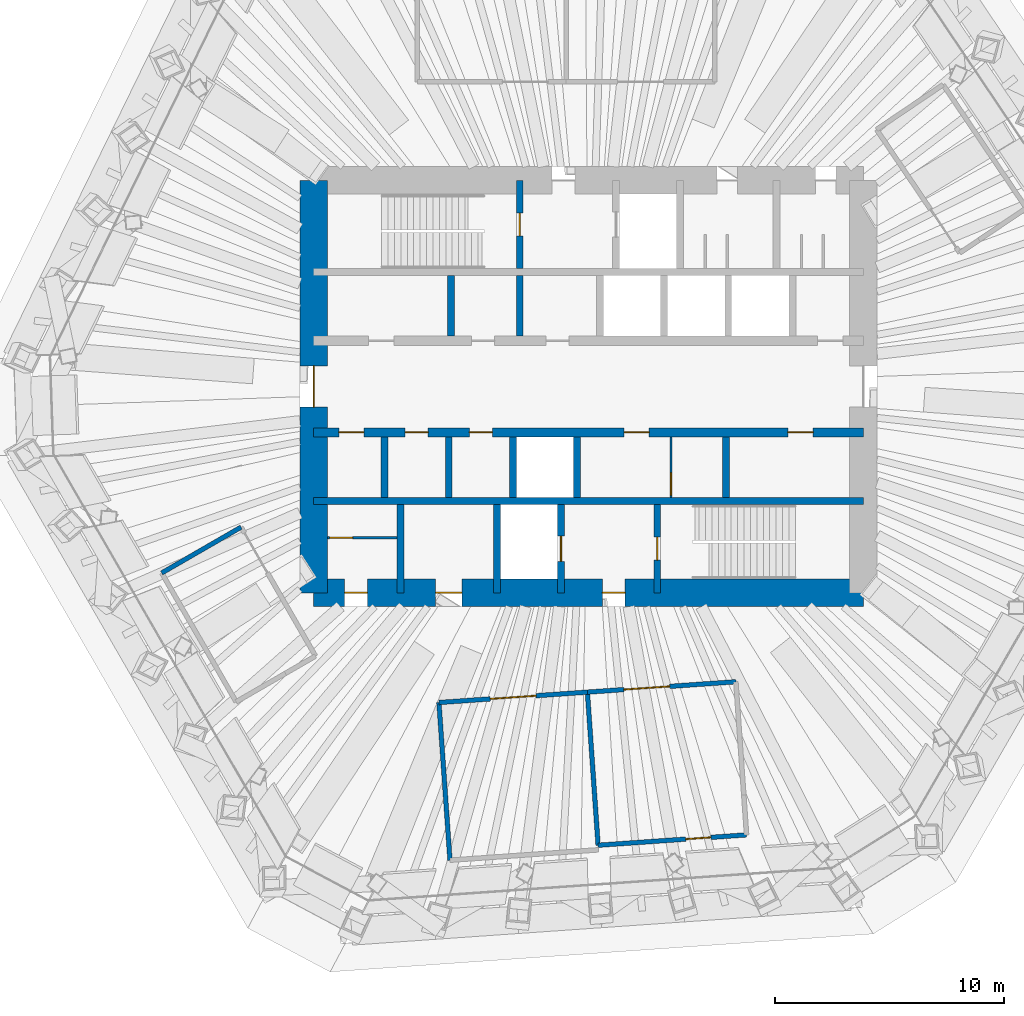
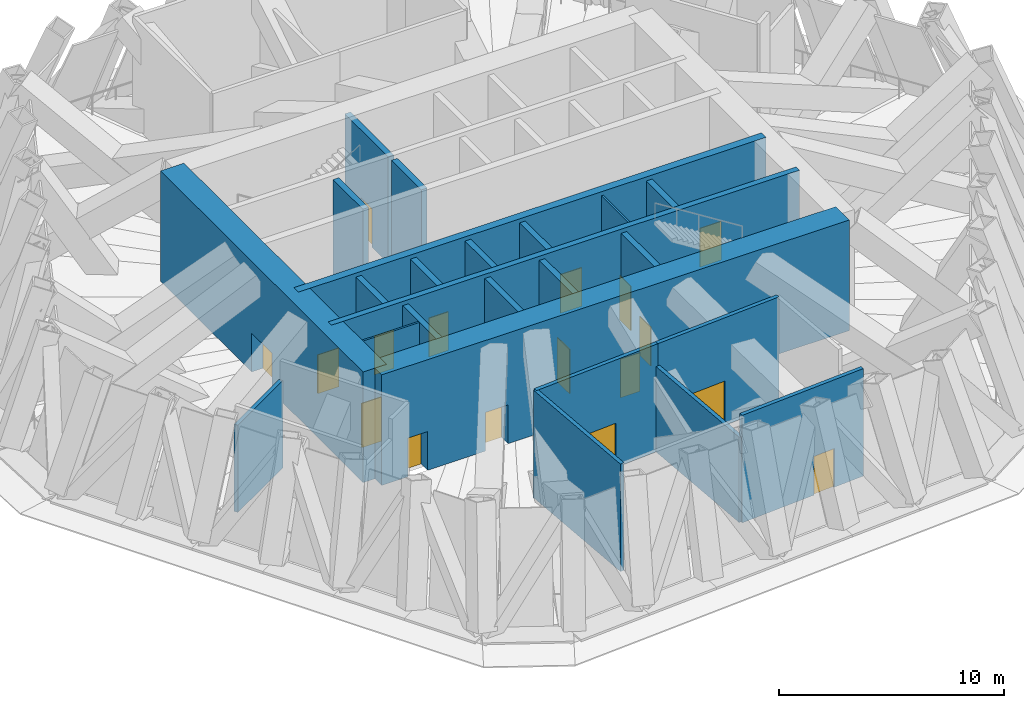
# One storey, part 7 of 12: 24 walls, 17 doors, 17 openings.
"""IFC4 building model written with IfcOpenShell, lengths in metres."""

from ifc_helpers import new_model, si_unit, direction, frame, frame_2d, origin, place, context, subcontext, project, spatial, rectangle, extrude, material, layer, layer_set, type_object, element, fill, save


model = new_model("IFC4")

# Units and contexts
model_context = context("Model", 3, precision=1e-05, world=origin(), true_north=direction((0.0, 1.0)))
body_context = subcontext(model_context, "Body", "Model", "MODEL_VIEW")
ifc_project = project(units=[si_unit("LENGTHUNIT", "METRE"), si_unit("AREAUNIT", "SQUARE_METRE"), si_unit("VOLUMEUNIT", "CUBIC_METRE"), si_unit("PLANEANGLEUNIT", "RADIAN"), si_unit("MASSUNIT", "GRAM", prefix="KILO")], contexts=[model_context])

# Site, building, storey
site_placement = place(None, origin())
site = spatial("IfcSite", under=ifc_project, at=site_placement, CompositionType="ELEMENT")
building_placement = place(site_placement, origin())
building = spatial("IfcBuilding", under=site, at=building_placement, Name="Qingtian Harvest Tower", CompositionType="ELEMENT")
storey_placement = place(building_placement, frame((0.0, 0.0, 256.0)))
storey = spatial("IfcBuildingStorey", under=building, at=storey_placement, Name="L56", CompositionType="ELEMENT", Elevation=256.0)

# Wall
ifc_material_1 = material(Name="Concrete fc' 70 MPa", Category="concrete")
ifc_layer_1 = layer(ifc_material_1, 0.300048828125)
ifc_layer_set_1 = layer_set([ifc_layer_1], Name="Core inner wall RC5 300")
wall_type_1 = type_object("IfcWallType", Name="Core inner wall RC5 300", PredefinedType="SHEAR", material=ifc_layer_set_1)
wall_1_placement = place(storey_placement, frame((-12.0, -5.0, 0.0), z_axis=(0.0, 0.0, 1.0), x_axis=(1.0, 0.0, 0.0)))
element("IfcWall", 1, at=wall_1_placement, inside=storey, type_object=wall_type_1, Name="Core wall IS5 L56", PredefinedType="SHEAR", context=body_context, shape_type="SweptSolid", body=[
    extrude(rectangle(XDim=24.0, YDim=0.300048828125, at=frame_2d((12.0, 0.0))), origin(), (0.0, 0.0, 1.0), 6.0),
])

# Wall, openings, doors
ifc_material_2 = material(Name="Concrete fc' 70 MPa", Category="concrete")
ifc_layer_2 = layer(ifc_material_2, 0.39990234375)
ifc_layer_set_2 = layer_set([ifc_layer_2], Name="Core inner web RC6 400")
wall_type_2 = type_object("IfcWallType", Name="Core inner web RC6 400", PredefinedType="SHEAR", material=ifc_layer_set_2)
wall_2_placement = place(storey_placement, frame((-12.0, -2.0, 0.0), z_axis=(0.0, 0.0, 1.0), x_axis=(1.0, 0.0, 0.0)))
wall_2 = element("IfcWall", 2, at=wall_2_placement, inside=storey, type_object=wall_type_2, Name="Core wall IS2 L56", PredefinedType="SHEAR", context=body_context, shape_type="SweptSolid", body=[
    extrude(rectangle(XDim=24.0, YDim=0.39990234375, at=frame_2d((12.0, 0.0))), origin(), (0.0, 0.0, 1.0), 6.0),
])
opening_1_placement = place(wall_2_placement, frame((1.10009765625, 0.0, 0.0)))
opening_1 = element("IfcOpeningElement", 3, at=opening_1_placement, cuts=wall_2, Name="Opening FD4", PredefinedType="OPENING", context=body_context, shape_type="SweptSolid", body=[
    extrude(rectangle(XDim=1.10009765625, YDim=2.10009765625, at=frame_2d((0.550048828125, 1.050048828125))), frame((0.0, 0.2099609375, 0.0), z_axis=(0.0, -1.0, 0.0), x_axis=(1.0, 0.0, 0.0)), (0.0, 0.0, 1.0), 0.419921875),
])
opening_2_placement = place(wall_2_placement, frame((13.550048828125, 0.0, 0.0)))
opening_2 = element("IfcOpeningElement", 4, at=opening_2_placement, cuts=wall_2, Name="Opening FD4", PredefinedType="OPENING", context=body_context, shape_type="SweptSolid", body=[
    extrude(rectangle(XDim=1.10009765625, YDim=2.10009765625, at=frame_2d((0.550048828125, 1.050048828125))), frame((0.0, 0.2099609375, 0.0), z_axis=(0.0, -1.0, 0.0), x_axis=(1.0, 0.0, 0.0)), (0.0, 0.0, 1.0), 0.419921875),
])
opening_3_placement = place(wall_2_placement, frame((20.699951171875, 0.0, 0.0)))
opening_3 = element("IfcOpeningElement", 5, at=opening_3_placement, cuts=wall_2, Name="Opening FD4", PredefinedType="OPENING", context=body_context, shape_type="SweptSolid", body=[
    extrude(rectangle(XDim=1.10009765625, YDim=2.10009765625, at=frame_2d((0.550048828125, 1.050048828125))), frame((0.0, 0.2099609375, 0.0), z_axis=(0.0, -1.0, 0.0), x_axis=(1.0, 0.0, 0.0)), (0.0, 0.0, 1.0), 0.419921875),
])
opening_4_placement = place(wall_2_placement, frame((4.0, 0.0, 0.0)))
opening_4 = element("IfcOpeningElement", 6, at=opening_4_placement, cuts=wall_2, Name="Opening FD1", PredefinedType="OPENING", context=body_context, shape_type="SweptSolid", body=[
    extrude(rectangle(XDim=1.0, YDim=2.10009765625, at=frame_2d((0.5, 1.050048828125))), frame((0.0, 0.2099609375, 0.0), z_axis=(0.0, -1.0, 0.0), x_axis=(1.0, 0.0, 0.0)), (0.0, 0.0, 1.0), 0.419921875),
])
opening_5_placement = place(wall_2_placement, frame((6.800048828125, 0.0, 0.0)))
opening_5 = element("IfcOpeningElement", 7, at=opening_5_placement, cuts=wall_2, Name="Opening FD1", PredefinedType="OPENING", context=body_context, shape_type="SweptSolid", body=[
    extrude(rectangle(XDim=1.0, YDim=2.10009765625, at=frame_2d((0.5, 1.050048828125))), frame((0.0, 0.2099609375, 0.0), z_axis=(0.0, -1.0, 0.0), x_axis=(1.0, 0.0, 0.0)), (0.0, 0.0, 1.0), 0.419921875),
])
ifc_material_3 = material(Name="Steel-faced door leaf", Category="steel")
door_type_1 = type_object("IfcDoorType", Name="Fire door FD1 single 1 HR", OperationType="SINGLE_SWING_LEFT", PredefinedType="DOOR", material=ifc_material_3)
door_1_placement = place(opening_4_placement, origin())
door_1 = element("IfcDoor", 8, at=door_1_placement, inside=storey, type_object=door_type_1, Name="Spares store door L56", OperationType="SINGLE_SWING_LEFT", OverallHeight=2.10009765625, OverallWidth=1.0, PredefinedType="DOOR", context=body_context, shape_type="SweptSolid", body=[
    extrude(rectangle(XDim=1.0, YDim=2.10009765625, at=frame_2d((0.5, 1.050048828125))), frame((0.0, 0.02490234375, 0.0), z_axis=(0.0, -1.0, 0.0), x_axis=(1.0, 0.0, 0.0)), (0.0, 0.0, 1.0), 0.050048828125),
])
fill(opening_4, door_1)
door_2_placement = place(opening_5_placement, origin())
door_2 = element("IfcDoor", 9, at=door_2_placement, inside=storey, type_object=door_type_1, Name="Filter store door L56", OperationType="SINGLE_SWING_LEFT", OverallHeight=2.10009765625, OverallWidth=1.0, PredefinedType="DOOR", context=body_context, shape_type="SweptSolid", body=[
    extrude(rectangle(XDim=1.0, YDim=2.10009765625, at=frame_2d((0.5, 1.050048828125))), frame((0.0, 0.02490234375, 0.0), z_axis=(0.0, -1.0, 0.0), x_axis=(1.0, 0.0, 0.0)), (0.0, 0.0, 1.0), 0.050048828125),
])
fill(opening_5, door_2)
ifc_material_4 = material(Name="Steel-faced door leaf", Category="steel")
door_type_2 = type_object("IfcDoorType", Name="Fire door FD4 single 2 HR", OperationType="SINGLE_SWING_LEFT", PredefinedType="DOOR", material=ifc_material_4)
door_3_placement = place(opening_1_placement, origin())
door_3 = element("IfcDoor", 10, at=door_3_placement, inside=storey, type_object=door_type_2, Name="RB door L56", OperationType="SINGLE_SWING_RIGHT", OverallHeight=2.10009765625, OverallWidth=1.10009765625, PredefinedType="DOOR", context=body_context, shape_type="SweptSolid", body=[
    extrude(rectangle(XDim=1.10009765625, YDim=2.10009765625, at=frame_2d((0.550048828125, 1.050048828125))), frame((0.0, 0.02490234375, 0.0), z_axis=(0.0, -1.0, 0.0), x_axis=(1.0, 0.0, 0.0)), (0.0, 0.0, 1.0), 0.050048828125),
])
fill(opening_1, door_3)
door_4_placement = place(opening_2_placement, origin())
door_4 = element("IfcDoor", 11, at=door_4_placement, inside=storey, type_object=door_type_2, Name="ELEC door L56", OperationType="SINGLE_SWING_LEFT", OverallHeight=2.10009765625, OverallWidth=1.10009765625, PredefinedType="DOOR", context=body_context, shape_type="SweptSolid", body=[
    extrude(rectangle(XDim=1.10009765625, YDim=2.10009765625, at=frame_2d((0.550048828125, 1.050048828125))), frame((0.0, 0.02490234375, 0.0), z_axis=(0.0, -1.0, 0.0), x_axis=(1.0, 0.0, 0.0)), (0.0, 0.0, 1.0), 0.050048828125),
])
fill(opening_2, door_4)
door_5_placement = place(opening_3_placement, origin())
door_5 = element("IfcDoor", 12, at=door_5_placement, inside=storey, type_object=door_type_2, Name="DUCT door L56", OperationType="SINGLE_SWING_RIGHT", OverallHeight=2.10009765625, OverallWidth=1.10009765625, PredefinedType="DOOR", context=body_context, shape_type="SweptSolid", body=[
    extrude(rectangle(XDim=1.10009765625, YDim=2.10009765625, at=frame_2d((0.550048828125, 1.050048828125))), frame((0.0, 0.02490234375, 0.0), z_axis=(0.0, -1.0, 0.0), x_axis=(1.0, 0.0, 0.0)), (0.0, 0.0, 1.0), 0.050048828125),
])
fill(opening_3, door_5)

# Wall, opening, door
ifc_material_5 = material(Name="Precast concrete shaft panel", Category="concrete")
ifc_layer_3 = layer(ifc_material_5, 0.300048828125)
ifc_layer_set_3 = layer_set([ifc_layer_3], Name="Core shaft partition SW1 300")
wall_type_3 = type_object("IfcWallType", Name="Core shaft partition SW1 300", PredefinedType="PARTITIONING", material=ifc_layer_set_3)
wall_3_placement = place(storey_placement, frame((-3.0, 5.14990234375, 0.0), z_axis=(0.0, 0.0, 1.0), x_axis=(0.0, 1.0, 0.0)))
wall_3 = element("IfcWall", 13, at=wall_3_placement, inside=storey, type_object=wall_type_3, Name="Core shaft partition XN1 L56", PredefinedType="PARTITIONING", context=body_context, shape_type="SweptSolid", body=[
    extrude(rectangle(XDim=3.85009765625, YDim=0.300048828125, at=frame_2d((1.925048828125, 0.0))), origin(), (0.0, 0.0, 1.0), 5.780029296875),
])
opening_6_placement = place(wall_3_placement, frame((1.425048828125, 0.0, 0.0)))
opening_6 = element("IfcOpeningElement", 14, at=opening_6_placement, cuts=wall_3, Name="Opening FD1", PredefinedType="OPENING", context=body_context, shape_type="SweptSolid", body=[
    extrude(rectangle(XDim=1.0, YDim=2.10009765625, at=frame_2d((0.5, 1.050048828125))), frame((0.0, 0.159912109375, 0.0), z_axis=(0.0, -1.0, 0.0), x_axis=(1.0, 0.0, 0.0)), (0.0, 0.0, 1.0), 0.320068359375),
])
door_6_placement = place(opening_6_placement, origin())
door_6 = element("IfcDoor", 15, at=door_6_placement, inside=storey, type_object=door_type_1, Name="S1 door L56", OperationType="SINGLE_SWING_RIGHT", OverallHeight=2.10009765625, OverallWidth=1.0, PredefinedType="DOOR", context=body_context, shape_type="SweptSolid", body=[
    extrude(rectangle(XDim=1.0, YDim=2.10009765625, at=frame_2d((0.5, 1.050048828125))), frame((0.0, 0.02490234375, 0.0), z_axis=(0.0, -1.0, 0.0), x_axis=(1.0, 0.0, 0.0)), (0.0, 0.0, 1.0), 0.050048828125),
])
fill(opening_6, door_6)

# Walls
for number, where, z_axis, x_axis, name in (
    (16, (-6.0, 2.199951171875, 0.0), (0.0, 0.0, 1.0), (0.0, 1.0, 0.0), "Core shaft partition XA1 L56"),
    (17, (-3.0, 2.199951171875, 0.0), (0.0, 0.0, 1.0), (0.0, 1.0, 0.0), "Core shaft partition XA2 L56"),
    (18, (-8.89990234375, -4.85009765625, 0.0), (0.0, 0.0, 1.0), (0.0, 1.0, 0.0), "Core shaft partition XB1 L56"),
    (19, (-6.10009765625, -4.85009765625, 0.0), (0.0, 0.0, 1.0), (0.0, 1.0, 0.0), "Core shaft partition XB2 L56"),
    (20, (-3.300048828125, -4.85009765625, 0.0), (0.0, 0.0, 1.0), (0.0, 1.0, 0.0), "Core shaft partition XB3 L56"),
    (21, (-0.5, -4.85009765625, 0.0), (0.0, 0.0, 1.0), (0.0, 1.0, 0.0), "Core shaft partition XB4 L56"),
    (22, (6.0, -4.85009765625, 0.0), (0.0, 0.0, 1.0), (0.0, 1.0, 0.0), "Core shaft partition XB5 L56"),
):
    element("IfcWall", number, at=place(storey_placement, frame(where, z_axis=z_axis, x_axis=x_axis)), inside=storey, type_object=wall_type_3, Name=name, PredefinedType="PARTITIONING", context=body_context, shape_type="SweptSolid", body=[
        extrude(rectangle(XDim=2.650146484375, YDim=0.300048828125, at=frame_2d((1.3251953125, 0.0))), origin(), (0.0, 0.0, 1.0), 5.780029296875),
    ])
for number, where, z_axis, x_axis, name in (
    (23, (-8.199951171875, -9.0, 0.0), (0.0, 0.0, 1.0), (0.0, 1.0, 0.0), "Core shaft partition XS1 L56"),
    (24, (-4.0, -9.0, 0.0), (0.0, 0.0, 1.0), (0.0, 1.0, 0.0), "Core shaft partition XS2 L56"),
):
    element("IfcWall", number, at=place(storey_placement, frame(where, z_axis=z_axis, x_axis=x_axis)), inside=storey, type_object=wall_type_3, Name=name, PredefinedType="PARTITIONING", context=body_context, shape_type="SweptSolid", body=[
        extrude(rectangle(XDim=3.85009765625, YDim=0.300048828125, at=frame_2d((1.925048828125, 0.0))), origin(), (0.0, 0.0, 1.0), 5.780029296875),
    ])

# Wall, opening, door
wall_4_placement = place(storey_placement, frame((-1.199951171875, -9.0, 0.0), z_axis=(0.0, 0.0, 1.0), x_axis=(0.0, 1.0, 0.0)))
wall_4 = element("IfcWall", 25, at=wall_4_placement, inside=storey, type_object=wall_type_3, Name="Core shaft partition XS3 L56", PredefinedType="PARTITIONING", context=body_context, shape_type="SweptSolid", body=[
    extrude(rectangle(XDim=3.85009765625, YDim=0.300048828125, at=frame_2d((1.925048828125, 0.0))), origin(), (0.0, 0.0, 1.0), 5.780029296875),
])
opening_7_placement = place(wall_4_placement, frame((1.375, 0.0, 0.0)))
opening_7 = element("IfcOpeningElement", 26, at=opening_7_placement, cuts=wall_4, Name="Opening LD1", PredefinedType="OPENING", context=body_context, shape_type="SweptSolid", body=[
    extrude(rectangle(XDim=1.10009765625, YDim=2.39990234375, at=frame_2d((0.550048828125, 1.199951171875))), frame((0.0, 0.159912109375, 0.0), z_axis=(0.0, -1.0, 0.0), x_axis=(1.0, 0.0, 0.0)), (0.0, 0.0, 1.0), 0.320068359375),
])
ifc_material_6 = material(Name="Stainless steel lift landing door", Category="steel")
door_type_3 = type_object("IfcDoorType", Name="Lift landing door LD1 1 HR", OperationType="DOUBLE_DOOR_SLIDING", PredefinedType="DOOR", material=ifc_material_6)
door_7_placement = place(opening_7_placement, origin())
door_7 = element("IfcDoor", 27, at=door_7_placement, inside=storey, type_object=door_type_3, Name="FL2 landing door L56", OperationType="DOUBLE_DOOR_SLIDING", OverallHeight=2.39990234375, OverallWidth=1.10009765625, PredefinedType="DOOR", context=body_context, shape_type="SweptSolid", body=[
    extrude(rectangle(XDim=1.10009765625, YDim=2.39990234375, at=frame_2d((0.550048828125, 1.199951171875))), frame((0.0, 0.02490234375, 0.0), z_axis=(0.0, -1.0, 0.0), x_axis=(1.0, 0.0, 0.0)), (0.0, 0.0, 1.0), 0.050048828125),
])
fill(opening_7, door_7)

wall_5_placement = place(storey_placement, frame((3.0, -9.0, 0.0), z_axis=(0.0, 0.0, 1.0), x_axis=(0.0, 1.0, 0.0)))
wall_5 = element("IfcWall", 28, at=wall_5_placement, inside=storey, type_object=wall_type_3, Name="Core shaft partition XS4 L56", PredefinedType="PARTITIONING", context=body_context, shape_type="SweptSolid", body=[
    extrude(rectangle(XDim=3.85009765625, YDim=0.300048828125, at=frame_2d((1.925048828125, 0.0))), origin(), (0.0, 0.0, 1.0), 5.780029296875),
])
opening_8_placement = place(wall_5_placement, frame((1.425048828125, 0.0, 0.0)))
opening_8 = element("IfcOpeningElement", 29, at=opening_8_placement, cuts=wall_5, Name="Opening FD1", PredefinedType="OPENING", context=body_context, shape_type="SweptSolid", body=[
    extrude(rectangle(XDim=1.0, YDim=2.10009765625, at=frame_2d((0.5, 1.050048828125))), frame((0.0, 0.159912109375, 0.0), z_axis=(0.0, -1.0, 0.0), x_axis=(1.0, 0.0, 0.0)), (0.0, 0.0, 1.0), 0.320068359375),
])
door_8_placement = place(opening_8_placement, origin())
door_8 = element("IfcDoor", 30, at=door_8_placement, inside=storey, type_object=door_type_1, Name="S2 door L56", OperationType="SINGLE_SWING_LEFT", OverallHeight=2.10009765625, OverallWidth=1.0, PredefinedType="DOOR", context=body_context, shape_type="SweptSolid", body=[
    extrude(rectangle(XDim=1.0, YDim=2.10009765625, at=frame_2d((0.5, 1.050048828125))), frame((0.0, 0.02490234375, 0.0), z_axis=(0.0, -1.0, 0.0), x_axis=(1.0, 0.0, 0.0)), (0.0, 0.0, 1.0), 0.050048828125),
])
fill(opening_8, door_8)

# Wall, openings, doors
ifc_material_7 = material(Name="Concrete fc' 70 MPa", Category="concrete")
ifc_layer_4 = layer(ifc_material_7, 1.199951171875)
ifc_layer_set_4 = layer_set([ifc_layer_4], Name="Core wall RC2 1200")
wall_type_4 = type_object("IfcWallType", Name="Core wall RC2 1200", PredefinedType="SHEAR", material=ifc_layer_set_4)
wall_6_placement = place(storey_placement, frame((-12.0, -9.0, 0.0), z_axis=(0.0, 0.0, 1.0), x_axis=(1.0, 0.0, 0.0)))
wall_6 = element("IfcWall", 31, at=wall_6_placement, inside=storey, type_object=wall_type_4, Name="Core wall CS L56", PredefinedType="SHEAR", context=body_context, shape_type="SweptSolid", body=[
    extrude(rectangle(XDim=24.0, YDim=1.199951171875, at=frame_2d((12.0, 0.0))), origin(), (0.0, 0.0, 1.0), 6.0),
])
opening_9_placement = place(wall_6_placement, frame((1.35009765625, 0.0, 0.0)))
opening_9 = element("IfcOpeningElement", 32, at=opening_9_placement, cuts=wall_6, Name="Opening FD1", PredefinedType="OPENING", context=body_context, shape_type="SweptSolid", body=[
    extrude(rectangle(XDim=1.0, YDim=2.10009765625, at=frame_2d((0.5, 1.050048828125))), frame((0.0, 0.60986328125, 0.0), z_axis=(0.0, -1.0, 0.0), x_axis=(1.0, 0.0, 0.0)), (0.0, 0.0, 1.0), 1.219970703125),
])
opening_10_placement = place(wall_6_placement, frame((5.324951171875, 0.0, 0.0)))
opening_10 = element("IfcOpeningElement", 33, at=opening_10_placement, cuts=wall_6, Name="Opening AD1", PredefinedType="OPENING", context=body_context, shape_type="SweptSolid", body=[
    extrude(rectangle(XDim=1.14990234375, YDim=2.10009765625, at=frame_2d((0.574951171875, 1.050048828125))), frame((0.0, 0.60986328125, 0.0), z_axis=(0.0, -1.0, 0.0), x_axis=(1.0, 0.0, 0.0)), (0.0, 0.0, 1.0), 1.219970703125),
])
opening_11_placement = place(wall_6_placement, frame((12.60009765625, 0.0, 0.0)))
opening_11 = element("IfcOpeningElement", 34, at=opening_11_placement, cuts=wall_6, Name="Opening FD1", PredefinedType="OPENING", context=body_context, shape_type="SweptSolid", body=[
    extrude(rectangle(XDim=1.0, YDim=2.10009765625, at=frame_2d((0.5, 1.050048828125))), frame((0.0, 0.60986328125, 0.0), z_axis=(0.0, -1.0, 0.0), x_axis=(1.0, 0.0, 0.0)), (0.0, 0.0, 1.0), 1.219970703125),
])
ifc_material_8 = material(Name="Laminated timber door leaf", Category="wood")
door_type_4 = type_object("IfcDoorType", Name="Accessible WC door AD1 single", OperationType="SINGLE_SWING_LEFT", PredefinedType="DOOR", material=ifc_material_8)
door_9_placement = place(opening_10_placement, origin())
door_9 = element("IfcDoor", 35, at=door_9_placement, inside=storey, type_object=door_type_4, Name="AWC door L56", OperationType="SINGLE_SWING_LEFT", OverallHeight=2.10009765625, OverallWidth=1.14990234375, PredefinedType="DOOR", context=body_context, shape_type="SweptSolid", body=[
    extrude(rectangle(XDim=1.14990234375, YDim=2.10009765625, at=frame_2d((0.574951171875, 1.050048828125))), frame((0.0, 0.02490234375, 0.0), z_axis=(0.0, -1.0, 0.0), x_axis=(1.0, 0.0, 0.0)), (0.0, 0.0, 1.0), 0.050048828125),
])
fill(opening_10, door_9)
door_10_placement = place(opening_9_placement, origin())
door_10 = element("IfcDoor", 36, at=door_10_placement, inside=storey, type_object=door_type_1, Name="CLN door L56", OperationType="SINGLE_SWING_RIGHT", OverallHeight=2.10009765625, OverallWidth=1.0, PredefinedType="DOOR", context=body_context, shape_type="SweptSolid", body=[
    extrude(rectangle(XDim=1.0, YDim=2.10009765625, at=frame_2d((0.5, 1.050048828125))), frame((0.0, 0.02490234375, 0.0), z_axis=(0.0, -1.0, 0.0), x_axis=(1.0, 0.0, 0.0)), (0.0, 0.0, 1.0), 0.050048828125),
])
fill(opening_9, door_10)
door_11_placement = place(opening_11_placement, origin())
door_11 = element("IfcDoor", 37, at=door_11_placement, inside=storey, type_object=door_type_1, Name="V2 door L56", OperationType="SINGLE_SWING_LEFT", OverallHeight=2.10009765625, OverallWidth=1.0, PredefinedType="DOOR", context=body_context, shape_type="SweptSolid", body=[
    extrude(rectangle(XDim=1.0, YDim=2.10009765625, at=frame_2d((0.5, 1.050048828125))), frame((0.0, 0.02490234375, 0.0), z_axis=(0.0, -1.0, 0.0), x_axis=(1.0, 0.0, 0.0)), (0.0, 0.0, 1.0), 0.050048828125),
])
fill(opening_11, door_11)

# Wall, opening, door
wall_7_placement = place(storey_placement, frame((-12.0, -9.0, 0.0), z_axis=(0.0, 0.0, 1.0), x_axis=(0.0, 1.0, 0.0)))
wall_7 = element("IfcWall", 38, at=wall_7_placement, inside=storey, type_object=wall_type_4, Name="Core wall CW L56", PredefinedType="SHEAR", context=body_context, shape_type="SweptSolid", body=[
    extrude(rectangle(XDim=18.0, YDim=1.199951171875, at=frame_2d((9.0, 0.0))), origin(), (0.0, 0.0, 1.0), 6.0),
])
opening_12_placement = place(wall_7_placement, frame((8.10009765625, 0.0, 0.0)))
opening_12 = element("IfcOpeningElement", 39, at=opening_12_placement, cuts=wall_7, Name="Opening FD2", PredefinedType="OPENING", context=body_context, shape_type="SweptSolid", body=[
    extrude(rectangle(XDim=1.800048828125, YDim=2.10009765625, at=frame_2d((0.89990234375, 1.050048828125))), frame((0.0, 0.60986328125, 0.0), z_axis=(0.0, -1.0, 0.0), x_axis=(1.0, 0.0, 0.0)), (0.0, 0.0, 1.0), 1.219970703125),
])
ifc_material_9 = material(Name="Steel-faced door leaf", Category="steel")
door_type_5 = type_object("IfcDoorType", Name="Fire door FD2 double 1 HR", OperationType="DOUBLE_DOOR_DOUBLE_SWING", PredefinedType="DOOR", material=ifc_material_9)
door_12_placement = place(opening_12_placement, origin())
door_12 = element("IfcDoor", 40, at=door_12_placement, inside=storey, type_object=door_type_5, Name="LOBBY-W door L56", OperationType="DOUBLE_DOOR_DOUBLE_SWING", OverallHeight=2.10009765625, OverallWidth=1.800048828125, PredefinedType="DOOR", context=body_context, shape_type="SweptSolid", body=[
    extrude(rectangle(XDim=1.800048828125, YDim=2.10009765625, at=frame_2d((0.89990234375, 1.050048828125))), frame((0.0, 0.02490234375, 0.0), z_axis=(0.0, -1.0, 0.0), x_axis=(1.0, 0.0, 0.0)), (0.0, 0.0, 1.0), 0.050048828125),
])
fill(opening_12, door_12)

# Wall
ifc_material_10 = material(Name="Blockwork fire wall", Category="masonry")
ifc_layer_5 = layer(ifc_material_10, 0.199951171875)
ifc_layer_set_5 = layer_set([ifc_layer_5], Name="Fire partition FW1 200")
wall_type_5 = type_object("IfcWallType", Name="Fire partition FW1 200", PredefinedType="PARTITIONING", material=ifc_layer_set_5)
wall_8_placement = place(storey_placement, frame((0.41943359375, -20.01953125, 0.0), z_axis=(0.0, 0.0, 1.0), x_axis=(-0.069781262282, 0.997562316567, 0.0)))
element("IfcWall", 41, at=wall_8_placement, inside=storey, type_object=wall_type_5, Name="Pump plant room wall L56", PredefinedType="PARTITIONING", context=body_context, shape_type="SweptSolid", body=[
    extrude(rectangle(XDim=6.699951171875, YDim=0.199951171875, at=frame_2d((3.35009765625, 0.0))), origin(), (0.0, 0.0, 1.0), 4.6298828125),
])

# Wall, opening, door
wall_9_placement = place(storey_placement, frame((6.43212890625, -12.8828125, 0.0), z_axis=(0.0, 0.0, 1.0), x_axis=(-0.997564226446, -0.069753954123, 0.0)))
wall_9 = element("IfcWall", 42, at=wall_9_placement, inside=storey, type_object=wall_type_5, Name="Pump plant room wall L56", PredefinedType="PARTITIONING", context=body_context, shape_type="SweptSolid", body=[
    extrude(rectangle(XDim=6.49609375, YDim=0.199951171875, at=frame_2d((3.248046875, 0.0))), origin(), (0.0, 0.0, 1.0), 5.830078125),
])
opening_13_placement = place(wall_9_placement, frame((2.897705078125, 0.0, 0.0)))
opening_13 = element("IfcOpeningElement", 43, at=opening_13_placement, cuts=wall_9, Name="Opening FD3", PredefinedType="OPENING", context=body_context, shape_type="SweptSolid", body=[
    extrude(rectangle(XDim=2.0, YDim=2.39990234375, at=frame_2d((1.0, 1.199951171875))), frame((0.0, 0.10986328125, 0.0), z_axis=(0.0, -1.0, 0.0), x_axis=(1.0, 0.0, 0.0)), (0.0, 0.0, 1.0), 0.219970703125),
])
ifc_material_11 = material(Name="Steel-faced door leaf", Category="steel")
door_type_6 = type_object("IfcDoorType", Name="Fire door FD3 double 2 HR", OperationType="DOUBLE_DOOR_DOUBLE_SWING", PredefinedType="DOOR", material=ifc_material_11)
door_13_placement = place(opening_13_placement, origin())
door_13 = element("IfcDoor", 44, at=door_13_placement, inside=storey, type_object=door_type_6, Name="Pump plant room door L56", OperationType="DOUBLE_DOOR_DOUBLE_SWING", OverallHeight=2.39990234375, OverallWidth=2.0, PredefinedType="DOOR", context=body_context, shape_type="SweptSolid", body=[
    extrude(rectangle(XDim=2.0, YDim=2.39990234375, at=frame_2d((1.0, 1.199951171875))), frame((0.0, 0.02490234375, 0.0), z_axis=(0.0, -1.0, 0.0), x_axis=(1.0, 0.0, 0.0)), (0.0, 0.0, 1.0), 0.050048828125),
])
fill(opening_13, door_13)

# Wall
wall_10_placement = place(storey_placement, frame((-6.046875, -20.672119140625, 0.0), z_axis=(0.0, 0.0, 1.0), x_axis=(-0.069775959272, 0.997562687508, 0.0)))
element("IfcWall", 45, at=wall_10_placement, inside=storey, type_object=wall_type_5, Name="Fan plant room wall L56", PredefinedType="PARTITIONING", context=body_context, shape_type="SweptSolid", body=[
    extrude(rectangle(XDim=6.89990234375, YDim=0.199951171875, at=frame_2d((3.449951171875, 0.0))), origin(), (0.0, 0.0, 1.0), 5.830078125),
])

# Wall, opening, door
wall_11_placement = place(storey_placement, frame((-0.048095703125, -13.3359375, 0.0), z_axis=(0.0, 0.0, 1.0), x_axis=(-0.997564226446, -0.069753954123, 0.0)))
wall_11 = element("IfcWall", 46, at=wall_11_placement, inside=storey, type_object=wall_type_5, Name="Fan plant room wall L56", PredefinedType="PARTITIONING", context=body_context, shape_type="SweptSolid", body=[
    extrude(rectangle(XDim=6.49609375, YDim=0.199951171875, at=frame_2d((3.248046875, 0.0))), origin(), (0.0, 0.0, 1.0), 5.830078125),
])
opening_14_placement = place(wall_11_placement, frame((2.248046875, 0.0, 0.0)))
opening_14 = element("IfcOpeningElement", 47, at=opening_14_placement, cuts=wall_11, Name="Opening FD3", PredefinedType="OPENING", context=body_context, shape_type="SweptSolid", body=[
    extrude(rectangle(XDim=2.0, YDim=2.39990234375, at=frame_2d((1.0, 1.199951171875))), frame((0.0, 0.10986328125, 0.0), z_axis=(0.0, -1.0, 0.0), x_axis=(1.0, 0.0, 0.0)), (0.0, 0.0, 1.0), 0.219970703125),
])
door_14_placement = place(opening_14_placement, origin())
door_14 = element("IfcDoor", 48, at=door_14_placement, inside=storey, type_object=door_type_6, Name="Fan plant room door L56", OperationType="DOUBLE_DOOR_DOUBLE_SWING", OverallHeight=2.39990234375, OverallWidth=2.0, PredefinedType="DOOR", context=body_context, shape_type="SweptSolid", body=[
    extrude(rectangle(XDim=2.0, YDim=2.39990234375, at=frame_2d((1.0, 1.199951171875))), frame((0.0, 0.02490234375, 0.0), z_axis=(0.0, -1.0, 0.0), x_axis=(1.0, 0.0, 0.0)), (0.0, 0.0, 1.0), 0.050048828125),
])
fill(opening_14, door_14)

# Wall
wall_12_placement = place(storey_placement, frame((-18.628662109375, -8.13427734375, 0.0), z_axis=(0.0, 0.0, 1.0), x_axis=(0.866026010844, 0.49999894854, 0.0)))
element("IfcWall", 49, at=wall_12_placement, inside=storey, type_object=wall_type_5, Name="Switchgear plant room wall L56", PredefinedType="PARTITIONING", context=body_context, shape_type="SweptSolid", body=[
    extrude(rectangle(XDim=4.0, YDim=0.199951171875, at=frame_2d((2.0, 0.0))), origin(), (0.0, 0.0, 1.0), 4.72998046875),
])

# Wall, opening, door
wall_13_placement = place(storey_placement, frame((6.899658203125, -19.56640625, 0.0), z_axis=(0.0, 0.0, 1.0), x_axis=(-0.997564226446, -0.069753954123, 0.0)))
wall_13 = element("IfcWall", 50, at=wall_13_placement, inside=storey, type_object=wall_type_5, Name="Pump plant room roof access wall L56", PredefinedType="PARTITIONING", context=body_context, shape_type="SweptSolid", body=[
    extrude(rectangle(XDim=6.49609375, YDim=0.199951171875, at=frame_2d((3.248046875, 0.0))), origin(), (0.0, 0.0, 1.0), 5.830078125),
])
opening_15_placement = place(wall_13_placement, frame((1.561279296875, 0.0, 0.0)))
opening_15 = element("IfcOpeningElement", 51, at=opening_15_placement, cuts=wall_13, Name="Opening FD4", PredefinedType="OPENING", context=body_context, shape_type="SweptSolid", body=[
    extrude(rectangle(XDim=1.10009765625, YDim=2.10009765625, at=frame_2d((0.550048828125, 1.050048828125))), frame((0.0, 0.10986328125, 0.0), z_axis=(0.0, -1.0, 0.0), x_axis=(1.0, 0.0, 0.0)), (0.0, 0.0, 1.0), 0.219970703125),
])
door_15_placement = place(opening_15_placement, origin())
door_15 = element("IfcDoor", 52, at=door_15_placement, inside=storey, type_object=door_type_2, Name="Roof access door L56", OperationType="SINGLE_SWING_LEFT", OverallHeight=2.10009765625, OverallWidth=1.10009765625, PredefinedType="DOOR", context=body_context, shape_type="SweptSolid", body=[
    extrude(rectangle(XDim=1.10009765625, YDim=2.10009765625, at=frame_2d((0.550048828125, 1.050048828125))), frame((0.0, 0.02490234375, 0.0), z_axis=(0.0, -1.0, 0.0), x_axis=(1.0, 0.0, 0.0)), (0.0, 0.0, 1.0), 0.050048828125),
])
fill(opening_15, door_15)

ifc_material_12 = material(Name="Concrete block partition", Category="concrete")
ifc_layer_6 = layer(ifc_material_12, 0.10009765625)
ifc_layer_set_6 = layer_set([ifc_layer_6], Name="Store partition PT3 100")
wall_type_6 = type_object("IfcWallType", Name="Store partition PT3 100", PredefinedType="PARTITIONING", material=ifc_layer_set_6)
wall_14_placement = place(storey_placement, frame((3.60009765625, -4.85009765625, 0.0), z_axis=(0.0, 0.0, 1.0), x_axis=(0.0, 1.0, 0.0)))
wall_14 = element("IfcWall", 53, at=wall_14_placement, inside=storey, type_object=wall_type_6, Name="Switchgear room wall L56", PredefinedType="PARTITIONING", context=body_context, shape_type="SweptSolid", body=[
    extrude(rectangle(XDim=2.650146484375, YDim=0.10009765625, at=frame_2d((1.3251953125, 0.0))), origin(), (0.0, 0.0, 1.0), 5.780029296875),
])
opening_16_placement = place(wall_14_placement, frame((0.10009765625, 0.0, 0.0)))
opening_16 = element("IfcOpeningElement", 54, at=opening_16_placement, cuts=wall_14, Name="Opening D2", PredefinedType="OPENING", context=body_context, shape_type="SweptSolid", body=[
    extrude(rectangle(XDim=1.0, YDim=2.39990234375, at=frame_2d((0.5, 1.199951171875))), frame((0.0, 0.06005859375, 0.0), z_axis=(0.0, -1.0, 0.0), x_axis=(1.0, 0.0, 0.0)), (0.0, 0.0, 1.0), 0.1201171875),
])
ifc_material_13 = material(Name="Laminated timber door leaf", Category="wood")
door_type_7 = type_object("IfcDoorType", Name="Room door D2 single", OperationType="SINGLE_SWING_LEFT", PredefinedType="DOOR", material=ifc_material_13)
door_16_placement = place(opening_16_placement, origin())
door_16 = element("IfcDoor", 55, at=door_16_placement, inside=storey, type_object=door_type_7, Name="Switchgear room door L56", OperationType="SINGLE_SWING_RIGHT", OverallHeight=2.39990234375, OverallWidth=1.0, PredefinedType="DOOR", context=body_context, shape_type="SweptSolid", body=[
    extrude(rectangle(XDim=1.0, YDim=2.39990234375, at=frame_2d((0.5, 1.199951171875))), frame((0.0, 0.02490234375, 0.0), z_axis=(0.0, -1.0, 0.0), x_axis=(1.0, 0.0, 0.0)), (0.0, 0.0, 1.0), 0.050048828125),
])
fill(opening_16, door_16)

wall_15_placement = place(storey_placement, frame((-11.39990234375, -6.60009765625, 0.0), z_axis=(0.0, 0.0, 1.0), x_axis=(1.0, 0.0, 0.0)))
wall_15 = element("IfcWall", 56, at=wall_15_placement, inside=storey, type_object=wall_type_6, Name="Oil store wall L56", PredefinedType="PARTITIONING", context=body_context, shape_type="SweptSolid", body=[
    extrude(rectangle(XDim=3.0498046875, YDim=0.10009765625, at=frame_2d((1.52490234375, 0.0))), origin(), (0.0, 0.0, 1.0), 5.780029296875),
])
opening_17_placement = place(wall_15_placement, frame((0.10009765625, 0.0, 0.0)))
opening_17 = element("IfcOpeningElement", 57, at=opening_17_placement, cuts=wall_15, Name="Opening D2", PredefinedType="OPENING", context=body_context, shape_type="SweptSolid", body=[
    extrude(rectangle(XDim=1.0, YDim=2.39990234375, at=frame_2d((0.5, 1.199951171875))), frame((0.0, 0.06005859375, 0.0), z_axis=(0.0, -1.0, 0.0), x_axis=(1.0, 0.0, 0.0)), (0.0, 0.0, 1.0), 0.1201171875),
])
door_17_placement = place(opening_17_placement, origin())
door_17 = element("IfcDoor", 58, at=door_17_placement, inside=storey, type_object=door_type_7, Name="Oil store door L56", OperationType="SINGLE_SWING_LEFT", OverallHeight=2.39990234375, OverallWidth=1.0, PredefinedType="DOOR", context=body_context, shape_type="SweptSolid", body=[
    extrude(rectangle(XDim=1.0, YDim=2.39990234375, at=frame_2d((0.5, 1.199951171875))), frame((0.0, 0.02490234375, 0.0), z_axis=(0.0, -1.0, 0.0), x_axis=(1.0, 0.0, 0.0)), (0.0, 0.0, 1.0), 0.050048828125),
])
fill(opening_17, door_17)

save(model, "model.ifc")
